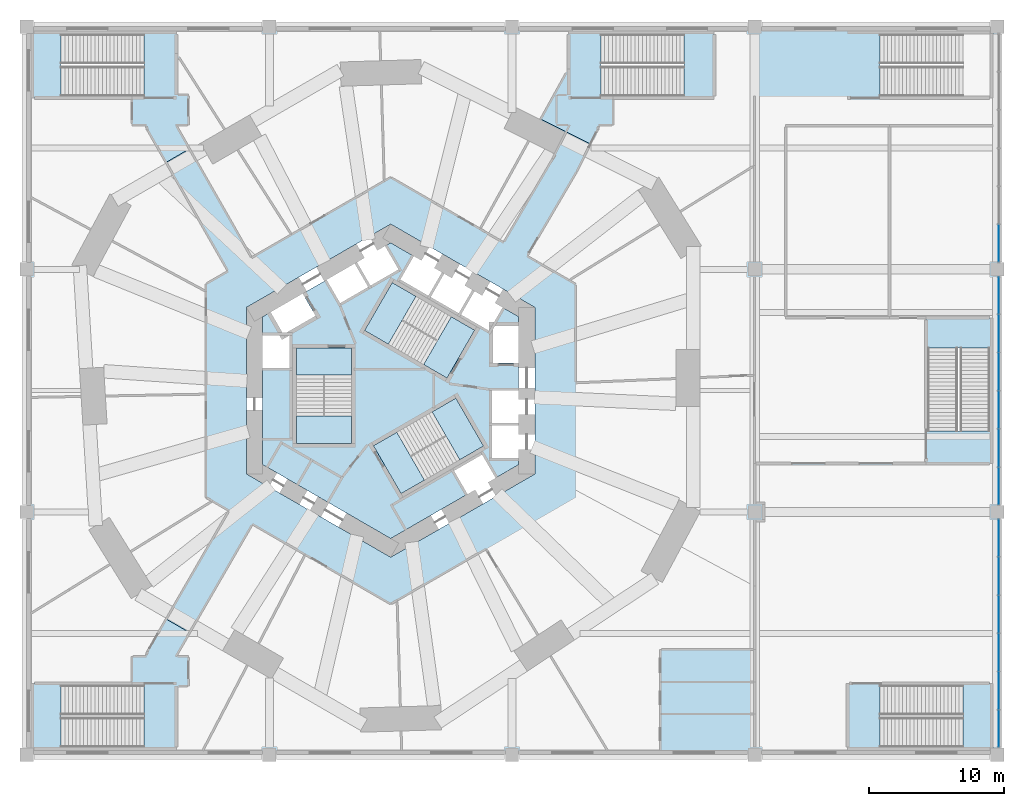
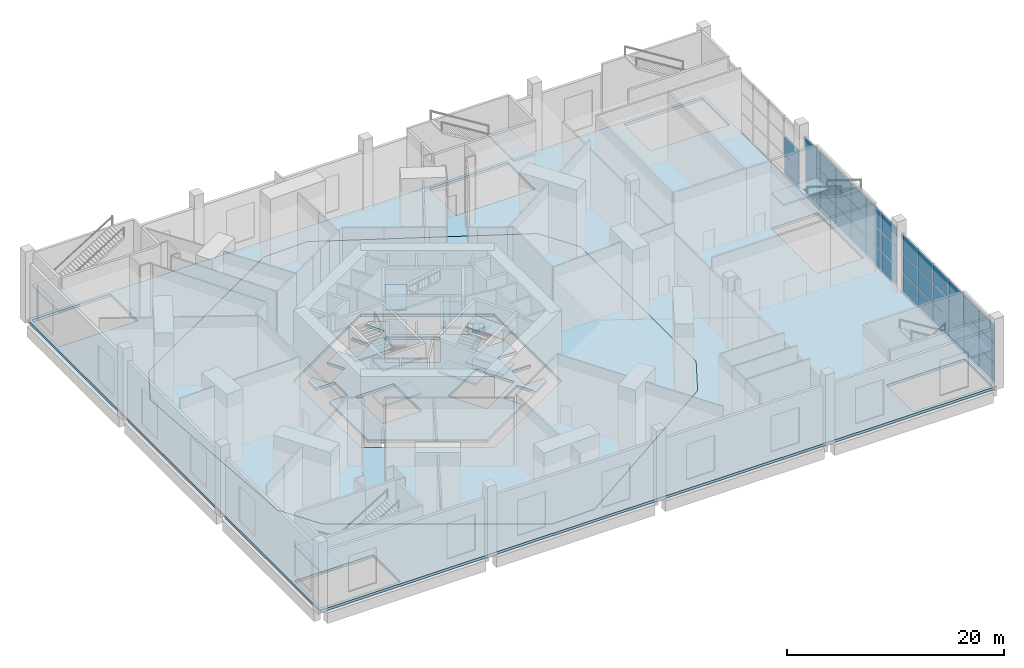
# One storey, part 4 of 15: 38 plates, 17 slabs, 11 elements without a shape of their own.
"""IFC4 building model written with IfcOpenShell, lengths in metres."""

import ifcopenshell
import ifcopenshell.guid

model = None  # the IFC model being written
_history = None  # IfcOwnerHistory: only IFC2X3 demands one
_inside = {}  # id of a spatial element -> (the spatial element, [elements in it])
_under = {}  # id of a project, library or spatial element -> (it, [spatial elements below it])
_declared = {}  # id of a project -> (the project, [libraries it declares])
_typed = {}  # id of a type object -> (the type object, [elements of that type])
_made_of = {}  # id of a material, layer set ... -> (it, [elements and type objects made of it])


def new_model(schema):
    """Start an empty IFC model of exactly this schema.

    Asked for "IFC4X3", IfcOpenShell would pick the latest addendum, in which some entities
    have other attributes; the version numbers below select the first issue.
    IFC2X3 requires an IfcOwnerHistory on every rooted entity: one is made here for all.
    """
    global model, _history
    if schema == "IFC4X3":
        model = ifcopenshell.file(schema_version=(4, 3, 0, 0))
    else:
        model = ifcopenshell.file(schema=schema)
    _inside.clear()
    _under.clear()
    _declared.clear()
    _typed.clear()
    _made_of.clear()
    _history = None
    if model.schema == "IFC2X3":
        org = make("IfcOrganization", Name="unknown")
        user = make(
            "IfcPersonAndOrganization",
            ThePerson=make("IfcPerson", FamilyName="unknown"),
            TheOrganization=org,
        )
        app = make(
            "IfcApplication",
            ApplicationDeveloper=org,
            Version="unknown",
            ApplicationFullName="unknown",
            ApplicationIdentifier="unknown",
        )
        _history = make(
            "IfcOwnerHistory",
            OwningUser=user,
            OwningApplication=app,
            ChangeAction="ADDED",
            CreationDate=0,
        )
    return model


def make(cls, **values):
    """One entity of the class cls with the attributes given. An attribute that is None is left unset."""
    return model.create_entity(
        cls, **{name: value for name, value in values.items() if value is not None}
    )


def rooted(cls, **values):
    """An entity with a GlobalId (a new one), such as an element, a storey or a relation."""
    return make(cls, GlobalId=ifcopenshell.guid.new(), OwnerHistory=_history, **values)


def si_unit(unit_type, name, prefix=None):
    """IfcSIUnit, for example si_unit("LENGTHUNIT", "METRE", prefix="MILLI")."""
    return make("IfcSIUnit", UnitType=unit_type, Prefix=prefix, Name=name)


def assignment(units):
    """IfcUnitAssignment: the units of a project."""
    return None if units is None else make("IfcUnitAssignment", Units=units)


def point(xyz):
    """IfcCartesianPoint."""
    return None if xyz is None else make("IfcCartesianPoint", Coordinates=xyz)


def direction(xyz):
    """IfcDirection."""
    return None if xyz is None else make("IfcDirection", DirectionRatios=xyz)


def frame(location, z_axis=None, x_axis=None):
    """IfcAxis2Placement3D, a coordinate frame: its origin and axes. An axis left out is left unset."""
    return make(
        "IfcAxis2Placement3D",
        Location=point(location),
        Axis=direction(z_axis),
        RefDirection=direction(x_axis),
    )


def frame_2d(location, x_axis=None):
    """IfcAxis2Placement2D, a coordinate frame in the plane: its origin and x axis."""
    return make(
        "IfcAxis2Placement2D", Location=point(location), RefDirection=direction(x_axis)
    )


def origin():
    """The frame at (0, 0, 0) with its axes left unset."""
    return frame((0.0, 0.0, 0.0))


def origin_2d():
    """The frame at (0, 0) in the plane with its x axis left unset."""
    return frame_2d((0.0, 0.0))


def place(relative_to, where):
    """IfcLocalPlacement: puts the frame where relative to a parent placement (None: the world)."""
    return make(
        "IfcLocalPlacement", PlacementRelTo=relative_to, RelativePlacement=where
    )


def context(
    kind, dimensions, precision=None, world=None, true_north=None, identifier=None
):
    """IfcGeometricRepresentationContext, for example the 3D "Model" context."""
    return make(
        "IfcGeometricRepresentationContext",
        ContextIdentifier=identifier,
        ContextType=kind,
        CoordinateSpaceDimension=dimensions,
        Precision=precision,
        WorldCoordinateSystem=world,
        TrueNorth=true_north,
    )


def subcontext(parent, identifier, kind, view, scale=None):
    """IfcGeometricRepresentationSubContext, for example "Body" below "Model"."""
    return make(
        "IfcGeometricRepresentationSubContext",
        ContextIdentifier=identifier,
        ContextType=kind,
        ParentContext=parent,
        TargetScale=scale,
        TargetView=view,
    )


def project(units=None, contexts=None):
    """IfcProject with its units and contexts."""
    return rooted(
        "IfcProject",
        Name="project",
        RepresentationContexts=contexts,
        UnitsInContext=assignment(units),
    )


def spatial(cls, under=None, at=None, **own):
    """A site, building, storey or space (cls), placed at a placement, below another one or the project."""
    s = rooted(cls, ObjectPlacement=at, **own)
    if under is not None:
        _under.setdefault(under.id(), (under, []))[1].append(s)
    return s


def polyline(points):
    """IfcPolyline through the points."""
    return make("IfcPolyline", Points=[point(p) for p in points])


def profile(cls, at=None, kind="AREA", **sizes):
    """A parametric profile (cls). Its sizes go by their IFC names, for example OverallWidth=200.0."""
    return make(cls, ProfileType=kind, Position=at, **sizes)


def rectangle(**sizes):
    """IfcRectangleProfileDef."""
    return profile("IfcRectangleProfileDef", **sizes)


def outline(outer, holes=None, kind="AREA"):
    """IfcArbitraryClosedProfileDef: a profile drawn as a closed curve; with holes, ...WithVoids."""
    if holes is None:
        return make("IfcArbitraryClosedProfileDef", ProfileType=kind, OuterCurve=outer)
    return make(
        "IfcArbitraryProfileDefWithVoids",
        ProfileType=kind,
        OuterCurve=outer,
        InnerCurves=holes,
    )


def extrude(swept, where, along, depth):
    """IfcExtrudedAreaSolid: the profile swept, set in the frame where, extruded along a direction by depth."""
    return make(
        "IfcExtrudedAreaSolid",
        SweptArea=swept,
        Position=where,
        ExtrudedDirection=direction(along),
        Depth=depth,
    )


def shape(context_of_items, identifier, shape_type, items):
    """IfcShapeRepresentation: the items that make up one representation, for example the "Body"."""
    return make(
        "IfcShapeRepresentation",
        ContextOfItems=context_of_items,
        RepresentationIdentifier=identifier,
        RepresentationType=shape_type,
        Items=items,
    )


def material(Name=None, Category=None):
    """IfcMaterial."""
    return make("IfcMaterial", Name=Name, Category=Category)


def layer(
    of_material, thickness, ventilated=None, Name=None, Category=None, Priority=None
):
    """IfcMaterialLayer: one layer of a wall or slab, of a material (None: an air gap)."""
    return make(
        "IfcMaterialLayer",
        Material=of_material,
        LayerThickness=thickness,
        IsVentilated=ventilated,
        Name=Name,
        Category=Category,
        Priority=Priority,
    )


def layer_set(layers, Name=None):
    """IfcMaterialLayerSet."""
    return make("IfcMaterialLayerSet", MaterialLayers=layers, LayerSetName=Name)


def made_of(thing, what):
    """Note that an element or type object is made of a material, layer set ...; save() writes the relation."""
    if what is not None:
        _made_of.setdefault(what.id(), (what, []))[1].append(thing)
    return thing


def type_object(cls, material=None, **own):
    """A type object (cls), such as IfcWallType, which elements share."""
    return made_of(rooted(cls, **own), material)


def element(
    cls,
    number,
    at=None,
    inside=None,
    cuts=None,
    type_object=None,
    material=None,
    context=None,
    identifier="Body",
    shape_type=None,
    held_by="IfcProductDefinitionShape",
    body=None,
    shapes=None,
    **own,
):
    """One element of the class cls, such as IfcWall. Its Tag is "e" and its number.

    at: its placement. inside: the storey or other place that contains it. cuts: it is an
    opening in that element (IfcRelVoidsElement). A single representation is given by context,
    identifier, shape_type and body (its items); several are given by shapes. held_by: the class
    of the entity that holds the representations. save() writes the other relations.
    """
    e = rooted(cls, Tag="e%d" % number, ObjectPlacement=at, **own)
    if body is not None:
        shapes = [shape(context, identifier, shape_type, body)]
    if shapes is not None:
        e.Representation = make(held_by, Representations=shapes)
    if inside is not None:
        _inside.setdefault(inside.id(), (inside, []))[1].append(e)
    if cuts is not None:
        rooted(
            "IfcRelVoidsElement", RelatingBuildingElement=cuts, RelatedOpeningElement=e
        )
    if type_object is not None:
        _typed.setdefault(type_object.id(), (type_object, []))[1].append(e)
    return made_of(e, material)


def aggregate(whole, parts):
    """IfcRelAggregates: a whole, such as a stair, and the parts it consists of."""
    return rooted("IfcRelAggregates", RelatingObject=whole, RelatedObjects=parts)


def save(model, path):
    """Write the relations noted so far, then the file.

    IfcRelAggregates (storeys below a building ...), IfcRelContainedInSpatialStructure (elements
    in a storey), IfcRelDefinesByType, IfcRelAssociatesMaterial and IfcRelDeclares: one each for
    every whole, place, type object, material and project.
    """
    for whole, parts in _under.values():
        aggregate(whole, parts)
    for where, things in _inside.values():
        rooted(
            "IfcRelContainedInSpatialStructure",
            RelatedElements=things,
            RelatingStructure=where,
        )
    for kind, things in _typed.values():
        rooted("IfcRelDefinesByType", RelatedObjects=things, RelatingType=kind)
    for what, things in _made_of.values():
        rooted("IfcRelAssociatesMaterial", RelatedObjects=things, RelatingMaterial=what)
    for by, libraries in _declared.values():
        rooted("IfcRelDeclares", RelatingContext=by, RelatedDefinitions=libraries)
    model.write(path)


model = new_model("IFC4")

# Units and contexts
model_context = context("Model", 3, precision=1e-05, world=origin(), true_north=direction((0.0, 1.0)))
body_context = subcontext(model_context, "Body", "Model", "MODEL_VIEW")
ifc_project = project(units=[si_unit("LENGTHUNIT", "METRE"), si_unit("AREAUNIT", "SQUARE_METRE"), si_unit("VOLUMEUNIT", "CUBIC_METRE"), si_unit("PLANEANGLEUNIT", "RADIAN"), si_unit("MASSUNIT", "GRAM", prefix="KILO")], contexts=[model_context])

# Site, building, storey
site_placement = place(None, origin())
site = spatial("IfcSite", under=ifc_project, at=site_placement, CompositionType="ELEMENT")
building_placement = place(site_placement, origin())
building = spatial("IfcBuilding", under=site, at=building_placement, Name="Vanh Sen Convention Tower", CompositionType="ELEMENT")
storey_placement = place(building_placement, frame((0.0, 0.0, 13.0)))
storey = spatial("IfcBuildingStorey", under=building, at=storey_placement, Name="L02", CompositionType="ELEMENT", Elevation=13.0)

# Slabs
ifc_material_1 = material(Name="Concrete C40/50", Category="concrete")
ifc_layer_1 = layer(ifc_material_1, 0.300048828125)
ifc_layer_set_1 = layer_set([ifc_layer_1], Name="Concrete C40/50")
slab_type_1 = type_object("IfcSlabType", Name="Core slab 300", PredefinedType="FLOOR", material=ifc_layer_set_1)
slab_1_placement = place(storey_placement, frame((0.0, 0.0, -0.300048828125)))
element("IfcSlab", 1, at=slab_1_placement, inside=storey, type_object=slab_type_1, Name="Core slab L02", PredefinedType="FLOOR", context=body_context, shape_type="SweptSolid", body=[
    extrude(outline(polyline([(9.5, 5.48486328125), (9.5, 4.800048828125), (7.60009765625, 4.800048828125), (7.60009765625, 2.050048828125), (9.5, 2.050048828125), (9.5, 0.0), (7.5, 0.0), (7.5, -2.39990234375), (9.5, -2.39990234375), (9.5, -2.60009765625), (7.5, -2.60009765625), (7.5, -5.0), (9.5, -5.0), (9.5, -5.48486328125), (0.0, -10.9697265625), (-9.5, -5.48486328125), (-9.5, 1.699951171875), (-7.5, 1.699951171875), (-7.5, 4.10009765625), (-9.5, 4.10009765625), (-9.5, 5.48486328125), (-8.906982421875, 5.8271484375), (-7.956787109375, 4.181884765625), (-5.575439453125, 5.556884765625), (-6.525390625, 7.2021484375), (-4.75, 8.227294921875), (-3.75, 6.4951171875), (-1.67138671875, 7.6953125), (-2.67138671875, 9.42724609375), (-2.498291015625, 9.527099609375), (-1.498291015625, 7.795166015625), (0.580078125, 8.9951171875), (-0.419921875, 10.727294921875), (0.0, 10.9697265625), (1.718994140625, 9.977294921875), (0.718994140625, 8.2451171875), (2.79736328125, 7.045166015625), (3.79736328125, 8.777099609375), (3.970703125, 8.67724609375), (2.970703125, 6.9453125), (5.049072265625, 5.7451171875), (6.049072265625, 7.477294921875), (6.22216796875, 7.377197265625), (5.22216796875, 5.645263671875), (7.30078125, 4.4453125), (8.30078125, 6.17724609375), (9.5, 5.48486328125)]), holes=[polyline([(-7.0, 3.14990234375), (-7.0, -3.909912109375), (-2.89990234375, -3.909912109375), (-2.89990234375, 3.14990234375), (-2.89990234375, 1.1494140625), (-7.0, 1.1494140625), (-7.0, 3.14990234375)]), polyline([(4.495361328125, 5.487548828125), (6.22802734375, 4.4873046875), (0.11376953125, 8.01708984375), (-1.936279296875, 4.466552734375), (2.4453125, 1.936767578125), (4.495361328125, 5.487548828125)]), polyline([(7.781005859375, -6.477294921875), (6.781005859375, -4.7451171875), (4.70263671875, -5.9453125), (5.70263671875, -7.67724609375), (7.781005859375, -6.477294921875)]), polyline([(0.45458984375, -3.086181640625), (2.504638671875, -6.63671875), (6.88623046875, -4.107177734375), (4.836181640625, -0.556396484375), (-1.278076171875, -4.08642578125), (0.45458984375, -3.086181640625)])]), origin(), (0.0, 0.0, 1.0), 0.300048828125),
])
ifc_layer_2 = layer(ifc_material_1, 0.300048828125)
ifc_layer_set_2 = layer_set([ifc_layer_2], Name="Concrete C40/50")
slab_type_2 = type_object("IfcSlabType", Name="Floor slab 300 REI 120", PredefinedType="FLOOR", material=ifc_layer_set_2)
slab_2_placement = place(storey_placement, frame((0.0, 0.0, -0.300048828125)))
element("IfcSlab", 2, at=slab_2_placement, inside=storey, type_object=slab_type_2, Name="Floor slab L02 tower", PredefinedType="FLOOR", context=body_context, shape_type="SweptSolid", body=[
    extrude(outline(polyline([(-23.663818359375, 10.14794921875), (-22.364990234375, -11.085205078125), (-19.89990234375, -15.069091796875), (-1.476806640625, -25.705322265625), (3.04345703125, -25.5673828125), (20.78271484375, -13.825927734375), (23.0, -9.69921875), (23.0, 11.57373046875), (20.620361328125, 15.419189453125), (1.58251953125, 24.911376953125), (-3.10009765625, 24.768310546875), (-21.523193359375, 14.131591796875), (-23.663818359375, 10.14794921875)]), holes=[polyline([(0.0, 12.355224609375), (-10.699951171875, 6.177490234375), (-10.699951171875, -6.177490234375), (0.0, -12.355224609375), (10.699951171875, -6.177490234375), (10.699951171875, 6.177490234375), (0.0, 12.355224609375)])]), origin(), (0.0, 0.0, 1.0), 0.300048828125),
])
slab_3_placement = place(storey_placement, frame((0.0, 0.0, -0.300048828125)))
element("IfcSlab", 3, at=slab_3_placement, inside=storey, type_object=slab_type_2, Name="Floor slab L02 wing", PredefinedType="FLOOR", context=body_context, shape_type="SweptSolid", body=[
    extrude(outline(polyline([(45.0, 27.0), (-27.0, 27.0), (-27.0, -27.0), (45.0, -27.0), (45.0, 27.0)]), holes=[polyline([(-22.364990234375, -11.085205078125), (-19.89990234375, -15.069091796875), (-1.476806640625, -25.705322265625), (3.04345703125, -25.5673828125), (20.78271484375, -13.825927734375), (23.0, -9.69921875), (23.0, 11.57373046875), (20.620361328125, 15.419189453125), (1.58251953125, 24.911376953125), (-3.10009765625, 24.768310546875), (-21.523193359375, 14.131591796875), (-23.663818359375, 10.14794921875), (-22.364990234375, -11.085205078125)]), polyline([(44.699951171875, 26.699951171875), (36.30078125, 26.699951171875), (36.30078125, 21.72509765625), (44.699951171875, 21.72509765625), (44.699951171875, 26.699951171875)]), polyline([(36.30078125, -26.699951171875), (44.699951171875, -26.699951171875), (44.699951171875, -21.72509765625), (36.30078125, -21.72509765625), (36.30078125, -26.699951171875)]), polyline([(39.72509765625, -2.999267578125), (44.699951171875, -2.999267578125), (44.699951171875, 5.39990234375), (39.72509765625, 5.39990234375), (39.72509765625, -2.999267578125)]), polyline([(15.6005859375, 26.699951171875), (15.6005859375, 21.72509765625), (24.0, 21.72509765625), (24.0, 26.699951171875), (15.6005859375, 26.699951171875)]), polyline([(-26.699951171875, 26.699951171875), (-26.699951171875, 21.72509765625), (-18.30078125, 21.72509765625), (-18.30078125, 26.699951171875), (-26.699951171875, 26.699951171875)]), polyline([(-26.699951171875, -21.72509765625), (-26.699951171875, -26.699951171875), (-18.30078125, -26.699951171875), (-18.30078125, -21.72509765625), (-26.699951171875, -21.72509765625)])]), origin(), (0.0, 0.0, 1.0), 0.300048828125),
])

# Curtain wall, plates
ifc_material_2 = material(Name="Aluminium structural glazing system", Category="aluminium")
curtain_wall_type = type_object("IfcCurtainWallType", Name="Podium hall structural glazing", PredefinedType="NOTDEFINED", material=ifc_material_2)
curtain_wall_1_placement = place(storey_placement, origin())
curtain_wall_1 = element("IfcCurtainWall", 4, at=curtain_wall_1_placement, inside=storey, type_object=curtain_wall_type, Name="Podium hall glazing 1 L02", PredefinedType="NOTDEFINED")
ifc_material_3 = material(Name="Clear toughened safety glass", Category="glass")
ifc_layer_3 = layer(ifc_material_3, 0.031982421875)
ifc_layer_set_3 = layer_set([ifc_layer_3], Name="Clear toughened safety glass")
plate_type = type_object("IfcPlateType", Name="Hall glazing clear glass panel 32", PredefinedType="CURTAIN_PANEL", material=ifc_layer_set_3)
plate_1_placement = place(storey_placement, frame((45.110107421875, -25.06591796875, 0.06982421875), z_axis=(0.0, 0.0, 1.0), x_axis=(0.0, 1.0, 0.0)))
plate_1 = element("IfcPlate", 5, at=plate_1_placement, type_object=plate_type, Name="CW4 panel 1.1", PredefinedType="CURTAIN_PANEL", context=body_context, shape_type="SweptSolid", body=[
    extrude(rectangle(XDim=2.728271484375, YDim=0.031982421875, at=origin_2d()), origin(), (0.0, 0.0, 1.0), 2.094970703125),
])
plate_2_placement = place(storey_placement, frame((45.110107421875, -25.06591796875, 2.235107421875), z_axis=(0.0, 0.0, 1.0), x_axis=(0.0, 1.0, 0.0)))
plate_2 = element("IfcPlate", 6, at=plate_2_placement, type_object=plate_type, Name="CW4 panel 1.2", PredefinedType="CURTAIN_PANEL", context=body_context, shape_type="SweptSolid", body=[
    extrude(rectangle(XDim=2.728271484375, YDim=0.031982421875, at=origin_2d()), origin(), (0.0, 0.0, 1.0), 2.1298828125),
])
plate_3_placement = place(storey_placement, frame((45.110107421875, -25.06591796875, 4.43505859375), z_axis=(0.0, 0.0, 1.0), x_axis=(0.0, 1.0, 0.0)))
plate_3 = element("IfcPlate", 7, at=plate_3_placement, type_object=plate_type, Name="CW4 panel 1.3", PredefinedType="CURTAIN_PANEL", context=body_context, shape_type="SweptSolid", body=[
    extrude(rectangle(XDim=2.728271484375, YDim=0.031982421875, at=origin_2d()), origin(), (0.0, 0.0, 1.0), 2.094970703125),
])
plate_4_placement = place(storey_placement, frame((45.110107421875, -22.25, 0.06982421875), z_axis=(0.0, 0.0, 1.0), x_axis=(0.0, 1.0, 0.0)))
plate_4 = element("IfcPlate", 8, at=plate_4_placement, type_object=plate_type, Name="CW4 panel 2.1", PredefinedType="CURTAIN_PANEL", context=body_context, shape_type="SweptSolid", body=[
    extrude(rectangle(XDim=2.763427734375, YDim=0.031982421875, at=origin_2d()), origin(), (0.0, 0.0, 1.0), 2.094970703125),
])
plate_5_placement = place(storey_placement, frame((45.110107421875, -22.25, 2.235107421875), z_axis=(0.0, 0.0, 1.0), x_axis=(0.0, 1.0, 0.0)))
plate_5 = element("IfcPlate", 9, at=plate_5_placement, type_object=plate_type, Name="CW4 panel 2.2", PredefinedType="CURTAIN_PANEL", context=body_context, shape_type="SweptSolid", body=[
    extrude(rectangle(XDim=2.763427734375, YDim=0.031982421875, at=origin_2d()), origin(), (0.0, 0.0, 1.0), 2.1298828125),
])
plate_6_placement = place(storey_placement, frame((45.110107421875, -22.25, 4.43505859375), z_axis=(0.0, 0.0, 1.0), x_axis=(0.0, 1.0, 0.0)))
plate_6 = element("IfcPlate", 10, at=plate_6_placement, type_object=plate_type, Name="CW4 panel 2.3", PredefinedType="CURTAIN_PANEL", context=body_context, shape_type="SweptSolid", body=[
    extrude(rectangle(XDim=2.763427734375, YDim=0.031982421875, at=origin_2d()), origin(), (0.0, 0.0, 1.0), 2.094970703125),
])
plate_7_placement = place(storey_placement, frame((45.110107421875, -19.416748046875, 0.06982421875), z_axis=(0.0, 0.0, 1.0), x_axis=(0.0, 1.0, 0.0)))
plate_7 = element("IfcPlate", 11, at=plate_7_placement, type_object=plate_type, Name="CW4 panel 3.1", PredefinedType="CURTAIN_PANEL", context=body_context, shape_type="SweptSolid", body=[
    extrude(rectangle(XDim=2.763427734375, YDim=0.031982421875, at=origin_2d()), origin(), (0.0, 0.0, 1.0), 2.094970703125),
])
plate_8_placement = place(storey_placement, frame((45.110107421875, -19.416748046875, 2.235107421875), z_axis=(0.0, 0.0, 1.0), x_axis=(0.0, 1.0, 0.0)))
plate_8 = element("IfcPlate", 12, at=plate_8_placement, type_object=plate_type, Name="CW4 panel 3.2", PredefinedType="CURTAIN_PANEL", context=body_context, shape_type="SweptSolid", body=[
    extrude(rectangle(XDim=2.763427734375, YDim=0.031982421875, at=origin_2d()), origin(), (0.0, 0.0, 1.0), 2.1298828125),
])
plate_9_placement = place(storey_placement, frame((45.110107421875, -19.416748046875, 4.43505859375), z_axis=(0.0, 0.0, 1.0), x_axis=(0.0, 1.0, 0.0)))
plate_9 = element("IfcPlate", 13, at=plate_9_placement, type_object=plate_type, Name="CW4 panel 3.3", PredefinedType="CURTAIN_PANEL", context=body_context, shape_type="SweptSolid", body=[
    extrude(rectangle(XDim=2.763427734375, YDim=0.031982421875, at=origin_2d()), origin(), (0.0, 0.0, 1.0), 2.094970703125),
])
plate_10_placement = place(storey_placement, frame((45.110107421875, -16.583251953125, 0.06982421875), z_axis=(0.0, 0.0, 1.0), x_axis=(0.0, 1.0, 0.0)))
plate_10 = element("IfcPlate", 14, at=plate_10_placement, type_object=plate_type, Name="CW4 panel 4.1", PredefinedType="CURTAIN_PANEL", context=body_context, shape_type="SweptSolid", body=[
    extrude(rectangle(XDim=2.763427734375, YDim=0.031982421875, at=origin_2d()), origin(), (0.0, 0.0, 1.0), 2.094970703125),
])
plate_11_placement = place(storey_placement, frame((45.110107421875, -16.583251953125, 2.235107421875), z_axis=(0.0, 0.0, 1.0), x_axis=(0.0, 1.0, 0.0)))
plate_11 = element("IfcPlate", 15, at=plate_11_placement, type_object=plate_type, Name="CW4 panel 4.2", PredefinedType="CURTAIN_PANEL", context=body_context, shape_type="SweptSolid", body=[
    extrude(rectangle(XDim=2.763427734375, YDim=0.031982421875, at=origin_2d()), origin(), (0.0, 0.0, 1.0), 2.1298828125),
])
plate_12_placement = place(storey_placement, frame((45.110107421875, -16.583251953125, 4.43505859375), z_axis=(0.0, 0.0, 1.0), x_axis=(0.0, 1.0, 0.0)))
plate_12 = element("IfcPlate", 16, at=plate_12_placement, type_object=plate_type, Name="CW4 panel 4.3", PredefinedType="CURTAIN_PANEL", context=body_context, shape_type="SweptSolid", body=[
    extrude(rectangle(XDim=2.763427734375, YDim=0.031982421875, at=origin_2d()), origin(), (0.0, 0.0, 1.0), 2.094970703125),
])
plate_13_placement = place(storey_placement, frame((45.110107421875, -13.75, 0.06982421875), z_axis=(0.0, 0.0, 1.0), x_axis=(0.0, 1.0, 0.0)))
plate_13 = element("IfcPlate", 17, at=plate_13_placement, type_object=plate_type, Name="CW4 panel 5.1", PredefinedType="CURTAIN_PANEL", context=body_context, shape_type="SweptSolid", body=[
    extrude(rectangle(XDim=2.763427734375, YDim=0.031982421875, at=origin_2d()), origin(), (0.0, 0.0, 1.0), 2.094970703125),
])
plate_14_placement = place(storey_placement, frame((45.110107421875, -13.75, 2.235107421875), z_axis=(0.0, 0.0, 1.0), x_axis=(0.0, 1.0, 0.0)))
plate_14 = element("IfcPlate", 18, at=plate_14_placement, type_object=plate_type, Name="CW4 panel 5.2", PredefinedType="CURTAIN_PANEL", context=body_context, shape_type="SweptSolid", body=[
    extrude(rectangle(XDim=2.763427734375, YDim=0.031982421875, at=origin_2d()), origin(), (0.0, 0.0, 1.0), 2.1298828125),
])
plate_15_placement = place(storey_placement, frame((45.110107421875, -13.75, 4.43505859375), z_axis=(0.0, 0.0, 1.0), x_axis=(0.0, 1.0, 0.0)))
plate_15 = element("IfcPlate", 19, at=plate_15_placement, type_object=plate_type, Name="CW4 panel 5.3", PredefinedType="CURTAIN_PANEL", context=body_context, shape_type="SweptSolid", body=[
    extrude(rectangle(XDim=2.763427734375, YDim=0.031982421875, at=origin_2d()), origin(), (0.0, 0.0, 1.0), 2.094970703125),
])
plate_16_placement = place(storey_placement, frame((45.110107421875, -10.93408203125, 0.06982421875), z_axis=(0.0, 0.0, 1.0), x_axis=(0.0, 1.0, 0.0)))
plate_16 = element("IfcPlate", 20, at=plate_16_placement, type_object=plate_type, Name="CW4 panel 6.1", PredefinedType="CURTAIN_PANEL", context=body_context, shape_type="SweptSolid", body=[
    extrude(rectangle(XDim=2.728271484375, YDim=0.031982421875, at=origin_2d()), origin(), (0.0, 0.0, 1.0), 2.094970703125),
])
plate_17_placement = place(storey_placement, frame((45.110107421875, -10.93408203125, 2.235107421875), z_axis=(0.0, 0.0, 1.0), x_axis=(0.0, 1.0, 0.0)))
plate_17 = element("IfcPlate", 21, at=plate_17_placement, type_object=plate_type, Name="CW4 panel 6.2", PredefinedType="CURTAIN_PANEL", context=body_context, shape_type="SweptSolid", body=[
    extrude(rectangle(XDim=2.728271484375, YDim=0.031982421875, at=origin_2d()), origin(), (0.0, 0.0, 1.0), 2.1298828125),
])
plate_18_placement = place(storey_placement, frame((45.110107421875, -10.93408203125, 4.43505859375), z_axis=(0.0, 0.0, 1.0), x_axis=(0.0, 1.0, 0.0)))
plate_18 = element("IfcPlate", 22, at=plate_18_placement, type_object=plate_type, Name="CW4 panel 6.3", PredefinedType="CURTAIN_PANEL", context=body_context, shape_type="SweptSolid", body=[
    extrude(rectangle(XDim=2.728271484375, YDim=0.031982421875, at=origin_2d()), origin(), (0.0, 0.0, 1.0), 2.094970703125),
])
aggregate(curtain_wall_1, [plate_1, plate_2, plate_3, plate_4, plate_5, plate_6, plate_7, plate_8, plate_9, plate_10, plate_11, plate_12, plate_13, plate_14, plate_15, plate_16, plate_17, plate_18])

curtain_wall_2_placement = place(storey_placement, origin())
curtain_wall_2 = element("IfcCurtainWall", 23, at=curtain_wall_2_placement, inside=storey, type_object=curtain_wall_type, Name="Podium hall glazing 2 L02", PredefinedType="NOTDEFINED")
plate_19_placement = place(storey_placement, frame((45.110107421875, -7.06591796875, 0.06982421875), z_axis=(0.0, 0.0, 1.0), x_axis=(0.0, 1.0, 0.0)))
plate_19 = element("IfcPlate", 24, at=plate_19_placement, type_object=plate_type, Name="CW4 panel 1.1", PredefinedType="CURTAIN_PANEL", context=body_context, shape_type="SweptSolid", body=[
    extrude(rectangle(XDim=2.728271484375, YDim=0.031982421875, at=origin_2d()), origin(), (0.0, 0.0, 1.0), 2.094970703125),
])
plate_20_placement = place(storey_placement, frame((45.110107421875, -7.06591796875, 2.235107421875), z_axis=(0.0, 0.0, 1.0), x_axis=(0.0, 1.0, 0.0)))
plate_20 = element("IfcPlate", 25, at=plate_20_placement, type_object=plate_type, Name="CW4 panel 1.2", PredefinedType="CURTAIN_PANEL", context=body_context, shape_type="SweptSolid", body=[
    extrude(rectangle(XDim=2.728271484375, YDim=0.031982421875, at=origin_2d()), origin(), (0.0, 0.0, 1.0), 2.1298828125),
])
plate_21_placement = place(storey_placement, frame((45.110107421875, -7.06591796875, 4.43505859375), z_axis=(0.0, 0.0, 1.0), x_axis=(0.0, 1.0, 0.0)))
plate_21 = element("IfcPlate", 26, at=plate_21_placement, type_object=plate_type, Name="CW4 panel 1.3", PredefinedType="CURTAIN_PANEL", context=body_context, shape_type="SweptSolid", body=[
    extrude(rectangle(XDim=2.728271484375, YDim=0.031982421875, at=origin_2d()), origin(), (0.0, 0.0, 1.0), 2.094970703125),
])
plate_22_placement = place(storey_placement, frame((45.110107421875, -4.25, 0.06982421875), z_axis=(0.0, 0.0, 1.0), x_axis=(0.0, 1.0, 0.0)))
plate_22 = element("IfcPlate", 27, at=plate_22_placement, type_object=plate_type, Name="CW4 panel 2.1", PredefinedType="CURTAIN_PANEL", context=body_context, shape_type="SweptSolid", body=[
    extrude(rectangle(XDim=2.763427734375, YDim=0.031982421875, at=origin_2d()), origin(), (0.0, 0.0, 1.0), 2.094970703125),
])
plate_23_placement = place(storey_placement, frame((45.110107421875, -4.25, 2.235107421875), z_axis=(0.0, 0.0, 1.0), x_axis=(0.0, 1.0, 0.0)))
plate_23 = element("IfcPlate", 28, at=plate_23_placement, type_object=plate_type, Name="CW4 panel 2.2", PredefinedType="CURTAIN_PANEL", context=body_context, shape_type="SweptSolid", body=[
    extrude(rectangle(XDim=2.763427734375, YDim=0.031982421875, at=origin_2d()), origin(), (0.0, 0.0, 1.0), 2.1298828125),
])
plate_24_placement = place(storey_placement, frame((45.110107421875, -4.25, 4.43505859375), z_axis=(0.0, 0.0, 1.0), x_axis=(0.0, 1.0, 0.0)))
plate_24 = element("IfcPlate", 29, at=plate_24_placement, type_object=plate_type, Name="CW4 panel 2.3", PredefinedType="CURTAIN_PANEL", context=body_context, shape_type="SweptSolid", body=[
    extrude(rectangle(XDim=2.763427734375, YDim=0.031982421875, at=origin_2d()), origin(), (0.0, 0.0, 1.0), 2.094970703125),
])
plate_25_placement = place(storey_placement, frame((45.110107421875, -1.416748046875, 0.06982421875), z_axis=(0.0, 0.0, 1.0), x_axis=(0.0, 1.0, 0.0)))
plate_25 = element("IfcPlate", 30, at=plate_25_placement, type_object=plate_type, Name="CW4 panel 3.1", PredefinedType="CURTAIN_PANEL", context=body_context, shape_type="SweptSolid", body=[
    extrude(rectangle(XDim=2.763427734375, YDim=0.031982421875, at=origin_2d()), origin(), (0.0, 0.0, 1.0), 2.094970703125),
])
plate_26_placement = place(storey_placement, frame((45.110107421875, -1.416748046875, 2.235107421875), z_axis=(0.0, 0.0, 1.0), x_axis=(0.0, 1.0, 0.0)))
plate_26 = element("IfcPlate", 31, at=plate_26_placement, type_object=plate_type, Name="CW4 panel 3.2", PredefinedType="CURTAIN_PANEL", context=body_context, shape_type="SweptSolid", body=[
    extrude(rectangle(XDim=2.763427734375, YDim=0.031982421875, at=origin_2d()), origin(), (0.0, 0.0, 1.0), 2.1298828125),
])
plate_27_placement = place(storey_placement, frame((45.110107421875, -1.416748046875, 4.43505859375), z_axis=(0.0, 0.0, 1.0), x_axis=(0.0, 1.0, 0.0)))
plate_27 = element("IfcPlate", 32, at=plate_27_placement, type_object=plate_type, Name="CW4 panel 3.3", PredefinedType="CURTAIN_PANEL", context=body_context, shape_type="SweptSolid", body=[
    extrude(rectangle(XDim=2.763427734375, YDim=0.031982421875, at=origin_2d()), origin(), (0.0, 0.0, 1.0), 2.094970703125),
])
plate_28_placement = place(storey_placement, frame((45.110107421875, 1.416748046875, 0.06982421875), z_axis=(0.0, 0.0, 1.0), x_axis=(0.0, 1.0, 0.0)))
plate_28 = element("IfcPlate", 33, at=plate_28_placement, type_object=plate_type, Name="CW4 panel 4.1", PredefinedType="CURTAIN_PANEL", context=body_context, shape_type="SweptSolid", body=[
    extrude(rectangle(XDim=2.763427734375, YDim=0.031982421875, at=origin_2d()), origin(), (0.0, 0.0, 1.0), 2.094970703125),
])
plate_29_placement = place(storey_placement, frame((45.110107421875, 1.416748046875, 2.235107421875), z_axis=(0.0, 0.0, 1.0), x_axis=(0.0, 1.0, 0.0)))
plate_29 = element("IfcPlate", 34, at=plate_29_placement, type_object=plate_type, Name="CW4 panel 4.2", PredefinedType="CURTAIN_PANEL", context=body_context, shape_type="SweptSolid", body=[
    extrude(rectangle(XDim=2.763427734375, YDim=0.031982421875, at=origin_2d()), origin(), (0.0, 0.0, 1.0), 2.1298828125),
])
plate_30_placement = place(storey_placement, frame((45.110107421875, 1.416748046875, 4.43505859375), z_axis=(0.0, 0.0, 1.0), x_axis=(0.0, 1.0, 0.0)))
plate_30 = element("IfcPlate", 35, at=plate_30_placement, type_object=plate_type, Name="CW4 panel 4.3", PredefinedType="CURTAIN_PANEL", context=body_context, shape_type="SweptSolid", body=[
    extrude(rectangle(XDim=2.763427734375, YDim=0.031982421875, at=origin_2d()), origin(), (0.0, 0.0, 1.0), 2.094970703125),
])
plate_31_placement = place(storey_placement, frame((45.110107421875, 4.25, 0.06982421875), z_axis=(0.0, 0.0, 1.0), x_axis=(0.0, 1.0, 0.0)))
plate_31 = element("IfcPlate", 36, at=plate_31_placement, type_object=plate_type, Name="CW4 panel 5.1", PredefinedType="CURTAIN_PANEL", context=body_context, shape_type="SweptSolid", body=[
    extrude(rectangle(XDim=2.763427734375, YDim=0.031982421875, at=origin_2d()), origin(), (0.0, 0.0, 1.0), 2.094970703125),
])
plate_32_placement = place(storey_placement, frame((45.110107421875, 4.25, 2.235107421875), z_axis=(0.0, 0.0, 1.0), x_axis=(0.0, 1.0, 0.0)))
plate_32 = element("IfcPlate", 37, at=plate_32_placement, type_object=plate_type, Name="CW4 panel 5.2", PredefinedType="CURTAIN_PANEL", context=body_context, shape_type="SweptSolid", body=[
    extrude(rectangle(XDim=2.763427734375, YDim=0.031982421875, at=origin_2d()), origin(), (0.0, 0.0, 1.0), 2.1298828125),
])
plate_33_placement = place(storey_placement, frame((45.110107421875, 4.25, 4.43505859375), z_axis=(0.0, 0.0, 1.0), x_axis=(0.0, 1.0, 0.0)))
plate_33 = element("IfcPlate", 38, at=plate_33_placement, type_object=plate_type, Name="CW4 panel 5.3", PredefinedType="CURTAIN_PANEL", context=body_context, shape_type="SweptSolid", body=[
    extrude(rectangle(XDim=2.763427734375, YDim=0.031982421875, at=origin_2d()), origin(), (0.0, 0.0, 1.0), 2.094970703125),
])
plate_34_placement = place(storey_placement, frame((45.110107421875, 7.06591796875, 0.06982421875), z_axis=(0.0, 0.0, 1.0), x_axis=(0.0, 1.0, 0.0)))
plate_34 = element("IfcPlate", 39, at=plate_34_placement, type_object=plate_type, Name="CW4 panel 6.1", PredefinedType="CURTAIN_PANEL", context=body_context, shape_type="SweptSolid", body=[
    extrude(rectangle(XDim=2.728271484375, YDim=0.031982421875, at=origin_2d()), origin(), (0.0, 0.0, 1.0), 2.094970703125),
])
plate_35_placement = place(storey_placement, frame((45.110107421875, 7.06591796875, 2.235107421875), z_axis=(0.0, 0.0, 1.0), x_axis=(0.0, 1.0, 0.0)))
plate_35 = element("IfcPlate", 40, at=plate_35_placement, type_object=plate_type, Name="CW4 panel 6.2", PredefinedType="CURTAIN_PANEL", context=body_context, shape_type="SweptSolid", body=[
    extrude(rectangle(XDim=2.728271484375, YDim=0.031982421875, at=origin_2d()), origin(), (0.0, 0.0, 1.0), 2.1298828125),
])
plate_36_placement = place(storey_placement, frame((45.110107421875, 7.06591796875, 4.43505859375), z_axis=(0.0, 0.0, 1.0), x_axis=(0.0, 1.0, 0.0)))
plate_36 = element("IfcPlate", 41, at=plate_36_placement, type_object=plate_type, Name="CW4 panel 6.3", PredefinedType="CURTAIN_PANEL", context=body_context, shape_type="SweptSolid", body=[
    extrude(rectangle(XDim=2.728271484375, YDim=0.031982421875, at=origin_2d()), origin(), (0.0, 0.0, 1.0), 2.094970703125),
])
aggregate(curtain_wall_2, [plate_19, plate_20, plate_21, plate_22, plate_23, plate_24, plate_25, plate_26, plate_27, plate_28, plate_29, plate_30, plate_31, plate_32, plate_33, plate_34, plate_35, plate_36])

curtain_wall_3_placement = place(storey_placement, origin())
curtain_wall_3 = element("IfcCurtainWall", 42, at=curtain_wall_3_placement, inside=storey, type_object=curtain_wall_type, Name="Podium hall glazing 3 L02", PredefinedType="NOTDEFINED")
plate_37_placement = place(storey_placement, frame((45.110107421875, 10.93408203125, 0.06982421875), z_axis=(0.0, 0.0, 1.0), x_axis=(0.0, 1.0, 0.0)))
plate_37 = element("IfcPlate", 43, at=plate_37_placement, type_object=plate_type, Name="CW4 panel 1.1", PredefinedType="CURTAIN_PANEL", context=body_context, shape_type="SweptSolid", body=[
    extrude(rectangle(XDim=2.728271484375, YDim=0.031982421875, at=origin_2d()), origin(), (0.0, 0.0, 1.0), 2.094970703125),
])
plate_38_placement = place(storey_placement, frame((45.110107421875, 10.93408203125, 2.235107421875), z_axis=(0.0, 0.0, 1.0), x_axis=(0.0, 1.0, 0.0)))
plate_38 = element("IfcPlate", 44, at=plate_38_placement, type_object=plate_type, Name="CW4 panel 1.2", PredefinedType="CURTAIN_PANEL", context=body_context, shape_type="SweptSolid", body=[
    extrude(rectangle(XDim=2.728271484375, YDim=0.031982421875, at=origin_2d()), origin(), (0.0, 0.0, 1.0), 2.1298828125),
])
aggregate(curtain_wall_3, [plate_37, plate_38])

# Stair, slab
stair_type_1 = type_object("IfcStairType", Name="Podium exit stair 2200", PredefinedType="HALF_TURN_STAIR", material=ifc_material_1)
stair_1_placement = place(storey_placement, origin())
stair_1 = element("IfcStair", 45, at=stair_1_placement, inside=storey, type_object=stair_type_1, Name="Exit stair PS2 L02", PredefinedType="HALF_TURN_STAIR")
ifc_layer_4 = layer(ifc_material_1, 0.199951171875)
ifc_layer_set_4 = layer_set([ifc_layer_4], Name="Concrete C40/50")
slab_type_3 = type_object("IfcSlabType", Name="Podium stair landing 200", PredefinedType="LANDING", material=ifc_layer_set_4)
slab_4_placement = place(storey_placement, frame((0.0, 0.0, 3.800048828125)))
slab_4 = element("IfcSlab", 46, at=slab_4_placement, type_object=slab_type_3, Name="PS2 landing 1", PredefinedType="LANDING", context=body_context, shape_type="SweptSolid", body=[
    extrude(outline(polyline([(42.459228515625, -21.72509765625), (44.699951171875, -21.72509765625), (44.699951171875, -26.699951171875), (42.459228515625, -26.699951171875), (42.459228515625, -21.72509765625)])), origin(), (0.0, 0.0, 1.0), 0.199951171875),
])
aggregate(stair_1, [slab_4])

stair_2_placement = place(storey_placement, origin())
stair_2 = element("IfcStair", 47, at=stair_2_placement, inside=storey, type_object=stair_type_1, Name="Exit stair PS3 L02", PredefinedType="HALF_TURN_STAIR")
slab_5_placement = place(storey_placement, frame((0.0, 0.0, 3.800048828125)))
slab_5 = element("IfcSlab", 48, at=slab_5_placement, type_object=slab_type_3, Name="PS3 landing 1", PredefinedType="LANDING", context=body_context, shape_type="SweptSolid", body=[
    extrude(outline(polyline([(39.72509765625, 3.1591796875), (39.72509765625, 5.39990234375), (44.699951171875, 5.39990234375), (44.699951171875, 3.1591796875), (39.72509765625, 3.1591796875)])), origin(), (0.0, 0.0, 1.0), 0.199951171875),
])
aggregate(stair_2, [slab_5])

stair_3_placement = place(storey_placement, origin())
stair_3 = element("IfcStair", 49, at=stair_3_placement, inside=storey, type_object=stair_type_1, Name="Exit stair PS4 L02", PredefinedType="HALF_TURN_STAIR")
slab_6_placement = place(storey_placement, frame((0.0, 0.0, 3.800048828125)))
slab_6 = element("IfcSlab", 50, at=slab_6_placement, type_object=slab_type_3, Name="PS4 landing 1", PredefinedType="LANDING", context=body_context, shape_type="SweptSolid", body=[
    extrude(outline(polyline([(21.75927734375, 21.72509765625), (24.0, 21.72509765625), (24.0, 26.699951171875), (21.75927734375, 26.699951171875), (21.75927734375, 21.72509765625)])), origin(), (0.0, 0.0, 1.0), 0.199951171875),
])
aggregate(stair_3, [slab_6])

stair_4_placement = place(storey_placement, origin())
stair_4 = element("IfcStair", 51, at=stair_4_placement, inside=storey, type_object=stair_type_1, Name="Exit stair PS5 L02", PredefinedType="HALF_TURN_STAIR")
slab_7_placement = place(storey_placement, frame((0.0, 0.0, 3.800048828125)))
slab_7 = element("IfcSlab", 52, at=slab_7_placement, type_object=slab_type_3, Name="PS5 landing 1", PredefinedType="LANDING", context=body_context, shape_type="SweptSolid", body=[
    extrude(outline(polyline([(-24.459228515625, 21.72509765625), (-26.699951171875, 21.72509765625), (-26.699951171875, 26.699951171875), (-24.459228515625, 26.699951171875), (-24.459228515625, 21.72509765625)])), origin(), (0.0, 0.0, 1.0), 0.199951171875),
])
aggregate(stair_4, [slab_7])

stair_5_placement = place(storey_placement, origin())
stair_5 = element("IfcStair", 53, at=stair_5_placement, inside=storey, type_object=stair_type_1, Name="Exit stair PS6 L02", PredefinedType="HALF_TURN_STAIR")
slab_8_placement = place(storey_placement, frame((0.0, 0.0, 3.800048828125)))
slab_8 = element("IfcSlab", 54, at=slab_8_placement, type_object=slab_type_3, Name="PS6 landing 1", PredefinedType="LANDING", context=body_context, shape_type="SweptSolid", body=[
    extrude(outline(polyline([(-24.459228515625, -21.72509765625), (-26.699951171875, -21.72509765625), (-26.699951171875, -26.699951171875), (-24.459228515625, -26.699951171875), (-24.459228515625, -21.72509765625)])), origin(), (0.0, 0.0, 1.0), 0.199951171875),
])
aggregate(stair_5, [slab_8])

# Stair, slabs
ifc_material_4 = material(Name="Concrete C50/60", Category="concrete")
stair_type_2 = type_object("IfcStairType", Name="Exit stair ST1 48 risers at 166.7", PredefinedType="HALF_TURN_STAIR", material=ifc_material_4)
stair_6_placement = place(storey_placement, origin())
stair_6 = element("IfcStair", 55, at=stair_6_placement, inside=storey, type_object=stair_type_2, Name="Exit stair ST1 L02", PredefinedType="HALF_TURN_STAIR")
ifc_layer_5 = layer(ifc_material_1, 0.199951171875)
ifc_layer_set_5 = layer_set([ifc_layer_5], Name="Concrete C40/50")
slab_type_4 = type_object("IfcSlabType", Name="Stair landing 200", PredefinedType="LANDING", material=ifc_layer_set_5)
slab_9_placement = place(storey_placement, frame((0.0, 0.0, 1.800048828125)))
slab_9 = element("IfcSlab", 56, at=slab_9_placement, type_object=slab_type_4, Name="ST1 landing 1", PredefinedType="LANDING", context=body_context, shape_type="SweptSolid", body=[
    extrude(outline(polyline([(1.876708984375, 6.999267578125), (0.11376953125, 8.01708984375), (-1.936279296875, 4.466552734375), (-0.173095703125, 3.448486328125), (1.876708984375, 6.999267578125)])), origin(), (0.0, 0.0, 1.0), 0.199951171875),
])
slab_10_placement = place(storey_placement, frame((0.0, 0.0, 3.800048828125)))
slab_10 = element("IfcSlab", 57, at=slab_10_placement, type_object=slab_type_4, Name="ST1 landing 2", PredefinedType="LANDING", context=body_context, shape_type="SweptSolid", body=[
    extrude(outline(polyline([(6.22802734375, 4.4873046875), (4.495361328125, 5.487548828125), (2.4453125, 1.936767578125), (4.177978515625, 0.9365234375), (6.22802734375, 4.4873046875)])), origin(), (0.0, 0.0, 1.0), 0.199951171875),
])
slab_11_placement = place(storey_placement, frame((0.0, 0.0, 5.800048828125)))
slab_11 = element("IfcSlab", 58, at=slab_11_placement, type_object=slab_type_4, Name="ST1 landing 3", PredefinedType="LANDING", context=body_context, shape_type="SweptSolid", body=[
    extrude(outline(polyline([(1.876708984375, 6.999267578125), (0.11376953125, 8.01708984375), (-1.936279296875, 4.466552734375), (-0.173095703125, 3.448486328125), (1.876708984375, 6.999267578125)])), origin(), (0.0, 0.0, 1.0), 0.199951171875),
])
aggregate(stair_6, [slab_9, slab_10, slab_11])

stair_type_3 = type_object("IfcStairType", Name="Exit stair ST2 48 risers at 166.7", PredefinedType="HALF_TURN_STAIR", material=ifc_material_4)
stair_7_placement = place(storey_placement, origin())
stair_7 = element("IfcStair", 59, at=stair_7_placement, inside=storey, type_object=stair_type_3, Name="Exit stair ST2 L02", PredefinedType="HALF_TURN_STAIR")
slab_12_placement = place(storey_placement, frame((0.0, 0.0, 1.800048828125)))
slab_12 = element("IfcSlab", 60, at=slab_12_placement, type_object=slab_type_4, Name="ST2 landing 1", PredefinedType="LANDING", context=body_context, shape_type="SweptSolid", body=[
    extrude(outline(polyline([(-7.0, -1.874267578125), (-7.0, -3.909912109375), (-2.89990234375, -3.909912109375), (-2.89990234375, -1.874267578125), (-7.0, -1.874267578125)])), origin(), (0.0, 0.0, 1.0), 0.199951171875),
])
slab_13_placement = place(storey_placement, frame((0.0, 0.0, 3.800048828125)))
slab_13 = element("IfcSlab", 61, at=slab_13_placement, type_object=slab_type_4, Name="ST2 landing 2", PredefinedType="LANDING", context=body_context, shape_type="SweptSolid", body=[
    extrude(outline(polyline([(-7.0, 3.14990234375), (-7.0, 1.1494140625), (-2.89990234375, 1.1494140625), (-2.89990234375, 3.14990234375), (-7.0, 3.14990234375)])), origin(), (0.0, 0.0, 1.0), 0.199951171875),
])
slab_14_placement = place(storey_placement, frame((0.0, 0.0, 5.800048828125)))
slab_14 = element("IfcSlab", 62, at=slab_14_placement, type_object=slab_type_4, Name="ST2 landing 3", PredefinedType="LANDING", context=body_context, shape_type="SweptSolid", body=[
    extrude(outline(polyline([(-7.0, -1.874267578125), (-7.0, -3.909912109375), (-2.89990234375, -3.909912109375), (-2.89990234375, -1.874267578125), (-7.0, -1.874267578125)])), origin(), (0.0, 0.0, 1.0), 0.199951171875),
])
aggregate(stair_7, [slab_12, slab_13, slab_14])

stair_type_4 = type_object("IfcStairType", Name="Exit stair ST3 48 risers at 166.7", PredefinedType="HALF_TURN_STAIR", material=ifc_material_4)
stair_8_placement = place(storey_placement, origin())
stair_8 = element("IfcStair", 63, at=stair_8_placement, inside=storey, type_object=stair_type_4, Name="Exit stair ST3 L02", PredefinedType="HALF_TURN_STAIR")
slab_15_placement = place(storey_placement, frame((0.0, 0.0, 1.800048828125)))
slab_15 = element("IfcSlab", 64, at=slab_15_placement, type_object=slab_type_4, Name="ST3 landing 1", PredefinedType="LANDING", context=body_context, shape_type="SweptSolid", body=[
    extrude(outline(polyline([(5.123291015625, -5.125), (6.88623046875, -4.107177734375), (4.836181640625, -0.556396484375), (3.0732421875, -1.57421875), (5.123291015625, -5.125)])), origin(), (0.0, 0.0, 1.0), 0.199951171875),
])
slab_16_placement = place(storey_placement, frame((0.0, 0.0, 3.800048828125)))
slab_16 = element("IfcSlab", 65, at=slab_16_placement, type_object=slab_type_4, Name="ST3 landing 2", PredefinedType="LANDING", context=body_context, shape_type="SweptSolid", body=[
    extrude(outline(polyline([(0.77197265625, -7.63720703125), (2.504638671875, -6.63671875), (0.45458984375, -3.086181640625), (-1.278076171875, -4.08642578125), (0.77197265625, -7.63720703125)])), origin(), (0.0, 0.0, 1.0), 0.199951171875),
])
slab_17_placement = place(storey_placement, frame((0.0, 0.0, 5.800048828125)))
slab_17 = element("IfcSlab", 66, at=slab_17_placement, type_object=slab_type_4, Name="ST3 landing 3", PredefinedType="LANDING", context=body_context, shape_type="SweptSolid", body=[
    extrude(outline(polyline([(5.123291015625, -5.125), (6.88623046875, -4.107177734375), (4.836181640625, -0.556396484375), (3.0732421875, -1.57421875), (5.123291015625, -5.125)])), origin(), (0.0, 0.0, 1.0), 0.199951171875),
])
aggregate(stair_8, [slab_15, slab_16, slab_17])

save(model, "model.ifc")
